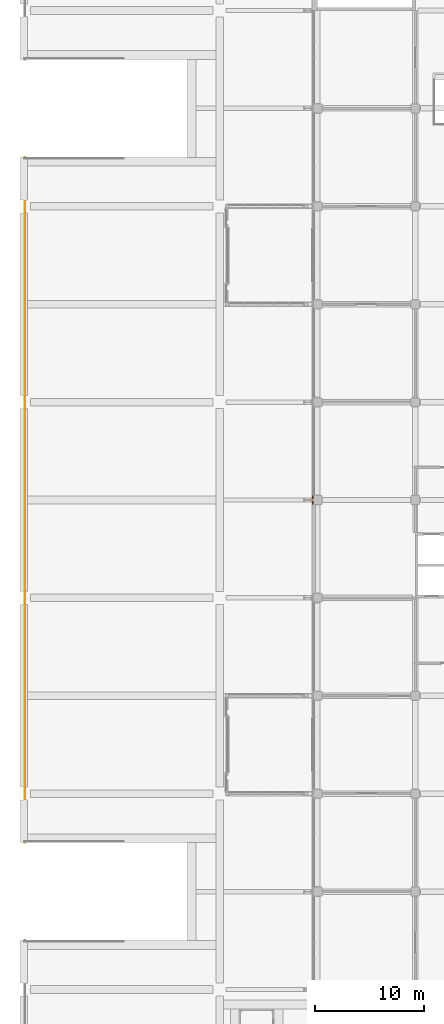
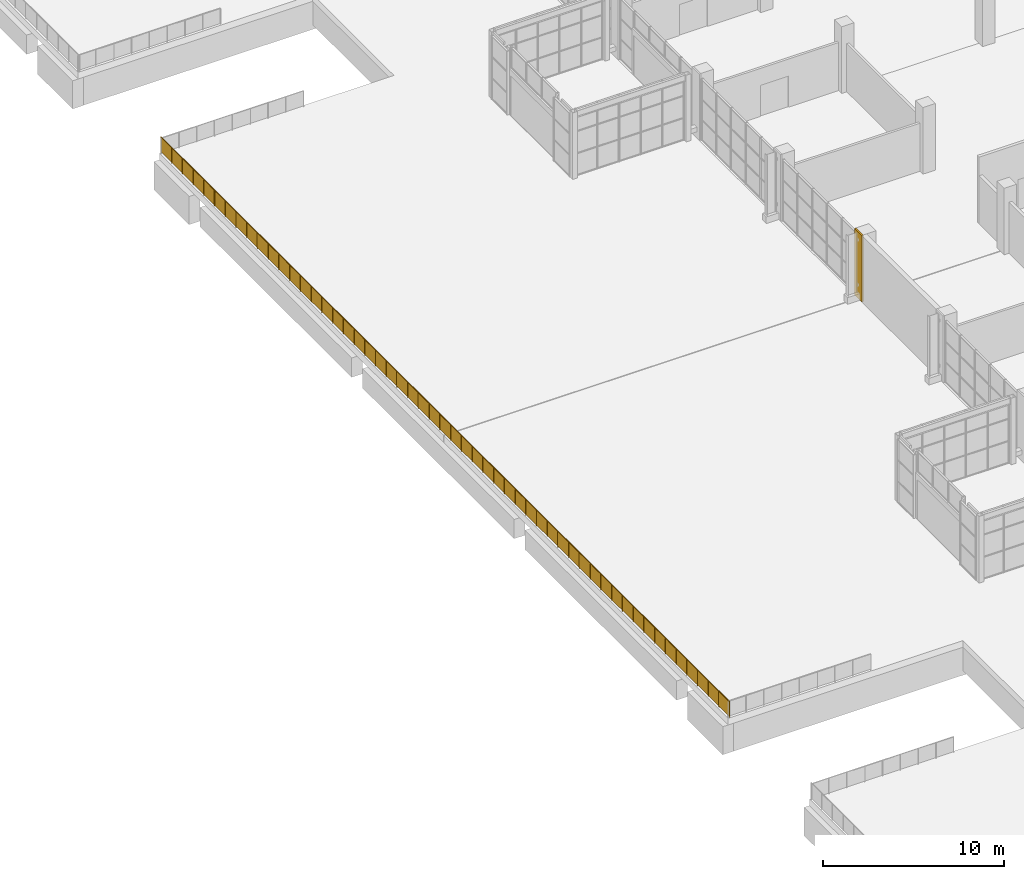
# One storey, part 146 of 168: 1 covering, 1 railing.
"""IFC4 building model written with IfcOpenShell, lengths in metres."""

import ifcopenshell
import ifcopenshell.guid

model = None  # the IFC model being written
_history = None  # IfcOwnerHistory: only IFC2X3 demands one
_inside = {}  # id of a spatial element -> (the spatial element, [elements in it])
_under = {}  # id of a project, library or spatial element -> (it, [spatial elements below it])
_declared = {}  # id of a project -> (the project, [libraries it declares])
_typed = {}  # id of a type object -> (the type object, [elements of that type])
_made_of = {}  # id of a material, layer set ... -> (it, [elements and type objects made of it])


def new_model(schema):
    """Start an empty IFC model of exactly this schema.

    Asked for "IFC4X3", IfcOpenShell would pick the latest addendum, in which some entities
    have other attributes; the version numbers below select the first issue.
    IFC2X3 requires an IfcOwnerHistory on every rooted entity: one is made here for all.
    """
    global model, _history
    if schema == "IFC4X3":
        model = ifcopenshell.file(schema_version=(4, 3, 0, 0))
    else:
        model = ifcopenshell.file(schema=schema)
    _inside.clear()
    _under.clear()
    _declared.clear()
    _typed.clear()
    _made_of.clear()
    _history = None
    if model.schema == "IFC2X3":
        org = make("IfcOrganization", Name="unknown")
        user = make(
            "IfcPersonAndOrganization",
            ThePerson=make("IfcPerson", FamilyName="unknown"),
            TheOrganization=org,
        )
        app = make(
            "IfcApplication",
            ApplicationDeveloper=org,
            Version="unknown",
            ApplicationFullName="unknown",
            ApplicationIdentifier="unknown",
        )
        _history = make(
            "IfcOwnerHistory",
            OwningUser=user,
            OwningApplication=app,
            ChangeAction="ADDED",
            CreationDate=0,
        )
    return model


def make(cls, **values):
    """One entity of the class cls with the attributes given. An attribute that is None is left unset."""
    return model.create_entity(
        cls, **{name: value for name, value in values.items() if value is not None}
    )


def rooted(cls, **values):
    """An entity with a GlobalId (a new one), such as an element, a storey or a relation."""
    return make(cls, GlobalId=ifcopenshell.guid.new(), OwnerHistory=_history, **values)


def si_unit(unit_type, name, prefix=None):
    """IfcSIUnit, for example si_unit("LENGTHUNIT", "METRE", prefix="MILLI")."""
    return make("IfcSIUnit", UnitType=unit_type, Prefix=prefix, Name=name)


def assignment(units):
    """IfcUnitAssignment: the units of a project."""
    return None if units is None else make("IfcUnitAssignment", Units=units)


def point(xyz):
    """IfcCartesianPoint."""
    return None if xyz is None else make("IfcCartesianPoint", Coordinates=xyz)


def direction(xyz):
    """IfcDirection."""
    return None if xyz is None else make("IfcDirection", DirectionRatios=xyz)


def frame(location, z_axis=None, x_axis=None):
    """IfcAxis2Placement3D, a coordinate frame: its origin and axes. An axis left out is left unset."""
    return make(
        "IfcAxis2Placement3D",
        Location=point(location),
        Axis=direction(z_axis),
        RefDirection=direction(x_axis),
    )


def frame_2d(location, x_axis=None):
    """IfcAxis2Placement2D, a coordinate frame in the plane: its origin and x axis."""
    return make(
        "IfcAxis2Placement2D", Location=point(location), RefDirection=direction(x_axis)
    )


def origin():
    """The frame at (0, 0, 0) with its axes left unset."""
    return frame((0.0, 0.0, 0.0))


def origin_2d():
    """The frame at (0, 0) in the plane with its x axis left unset."""
    return frame_2d((0.0, 0.0))


def place(relative_to, where):
    """IfcLocalPlacement: puts the frame where relative to a parent placement (None: the world)."""
    return make(
        "IfcLocalPlacement", PlacementRelTo=relative_to, RelativePlacement=where
    )


def context(
    kind, dimensions, precision=None, world=None, true_north=None, identifier=None
):
    """IfcGeometricRepresentationContext, for example the 3D "Model" context."""
    return make(
        "IfcGeometricRepresentationContext",
        ContextIdentifier=identifier,
        ContextType=kind,
        CoordinateSpaceDimension=dimensions,
        Precision=precision,
        WorldCoordinateSystem=world,
        TrueNorth=true_north,
    )


def subcontext(parent, identifier, kind, view, scale=None):
    """IfcGeometricRepresentationSubContext, for example "Body" below "Model"."""
    return make(
        "IfcGeometricRepresentationSubContext",
        ContextIdentifier=identifier,
        ContextType=kind,
        ParentContext=parent,
        TargetScale=scale,
        TargetView=view,
    )


def project(units=None, contexts=None):
    """IfcProject with its units and contexts."""
    return rooted(
        "IfcProject",
        Name="project",
        RepresentationContexts=contexts,
        UnitsInContext=assignment(units),
    )


def spatial(cls, under=None, at=None, **own):
    """A site, building, storey or space (cls), placed at a placement, below another one or the project."""
    s = rooted(cls, ObjectPlacement=at, **own)
    if under is not None:
        _under.setdefault(under.id(), (under, []))[1].append(s)
    return s


def polyline(points):
    """IfcPolyline through the points."""
    return make("IfcPolyline", Points=[point(p) for p in points])


def profile(cls, at=None, kind="AREA", **sizes):
    """A parametric profile (cls). Its sizes go by their IFC names, for example OverallWidth=200.0."""
    return make(cls, ProfileType=kind, Position=at, **sizes)


def circle(**sizes):
    """IfcCircleProfileDef."""
    return profile("IfcCircleProfileDef", **sizes)


def outline(outer, holes=None, kind="AREA"):
    """IfcArbitraryClosedProfileDef: a profile drawn as a closed curve; with holes, ...WithVoids."""
    if holes is None:
        return make("IfcArbitraryClosedProfileDef", ProfileType=kind, OuterCurve=outer)
    return make(
        "IfcArbitraryProfileDefWithVoids",
        ProfileType=kind,
        OuterCurve=outer,
        InnerCurves=holes,
    )


def extrude(swept, where, along, depth):
    """IfcExtrudedAreaSolid: the profile swept, set in the frame where, extruded along a direction by depth."""
    return make(
        "IfcExtrudedAreaSolid",
        SweptArea=swept,
        Position=where,
        ExtrudedDirection=direction(along),
        Depth=depth,
    )


def shape(context_of_items, identifier, shape_type, items):
    """IfcShapeRepresentation: the items that make up one representation, for example the "Body"."""
    return make(
        "IfcShapeRepresentation",
        ContextOfItems=context_of_items,
        RepresentationIdentifier=identifier,
        RepresentationType=shape_type,
        Items=items,
    )


def material(Name=None, Category=None):
    """IfcMaterial."""
    return make("IfcMaterial", Name=Name, Category=Category)


def layer(
    of_material, thickness, ventilated=None, Name=None, Category=None, Priority=None
):
    """IfcMaterialLayer: one layer of a wall or slab, of a material (None: an air gap)."""
    return make(
        "IfcMaterialLayer",
        Material=of_material,
        LayerThickness=thickness,
        IsVentilated=ventilated,
        Name=Name,
        Category=Category,
        Priority=Priority,
    )


def layer_set(layers, Name=None):
    """IfcMaterialLayerSet."""
    return make("IfcMaterialLayerSet", MaterialLayers=layers, LayerSetName=Name)


def made_of(thing, what):
    """Note that an element or type object is made of a material, layer set ...; save() writes the relation."""
    if what is not None:
        _made_of.setdefault(what.id(), (what, []))[1].append(thing)
    return thing


def type_object(cls, material=None, **own):
    """A type object (cls), such as IfcWallType, which elements share."""
    return made_of(rooted(cls, **own), material)


def element(
    cls,
    number,
    at=None,
    inside=None,
    cuts=None,
    type_object=None,
    material=None,
    context=None,
    identifier="Body",
    shape_type=None,
    held_by="IfcProductDefinitionShape",
    body=None,
    shapes=None,
    **own,
):
    """One element of the class cls, such as IfcWall. Its Tag is "e" and its number.

    at: its placement. inside: the storey or other place that contains it. cuts: it is an
    opening in that element (IfcRelVoidsElement). A single representation is given by context,
    identifier, shape_type and body (its items); several are given by shapes. held_by: the class
    of the entity that holds the representations. save() writes the other relations.
    """
    e = rooted(cls, Tag="e%d" % number, ObjectPlacement=at, **own)
    if body is not None:
        shapes = [shape(context, identifier, shape_type, body)]
    if shapes is not None:
        e.Representation = make(held_by, Representations=shapes)
    if inside is not None:
        _inside.setdefault(inside.id(), (inside, []))[1].append(e)
    if cuts is not None:
        rooted(
            "IfcRelVoidsElement", RelatingBuildingElement=cuts, RelatedOpeningElement=e
        )
    if type_object is not None:
        _typed.setdefault(type_object.id(), (type_object, []))[1].append(e)
    return made_of(e, material)


def aggregate(whole, parts):
    """IfcRelAggregates: a whole, such as a stair, and the parts it consists of."""
    return rooted("IfcRelAggregates", RelatingObject=whole, RelatedObjects=parts)


def save(model, path):
    """Write the relations noted so far, then the file.

    IfcRelAggregates (storeys below a building ...), IfcRelContainedInSpatialStructure (elements
    in a storey), IfcRelDefinesByType, IfcRelAssociatesMaterial and IfcRelDeclares: one each for
    every whole, place, type object, material and project.
    """
    for whole, parts in _under.values():
        aggregate(whole, parts)
    for where, things in _inside.values():
        rooted(
            "IfcRelContainedInSpatialStructure",
            RelatedElements=things,
            RelatingStructure=where,
        )
    for kind, things in _typed.values():
        rooted("IfcRelDefinesByType", RelatedObjects=things, RelatingType=kind)
    for what, things in _made_of.values():
        rooted("IfcRelAssociatesMaterial", RelatedObjects=things, RelatingMaterial=what)
    for by, libraries in _declared.values():
        rooted("IfcRelDeclares", RelatingContext=by, RelatedDefinitions=libraries)
    model.write(path)


model = new_model("IFC4")

# Units and contexts
model_context = context("Model", 3, precision=1e-05, world=origin(), true_north=direction((0.0, 1.0)))
body_context = subcontext(model_context, "Body", "Model", "MODEL_VIEW")
ifc_project = project(units=[si_unit("LENGTHUNIT", "METRE"), si_unit("AREAUNIT", "SQUARE_METRE"), si_unit("VOLUMEUNIT", "CUBIC_METRE"), si_unit("PLANEANGLEUNIT", "RADIAN"), si_unit("MASSUNIT", "GRAM", prefix="KILO")], contexts=[model_context])

# Site, building, storey
site_placement = place(None, origin())
site = spatial("IfcSite", under=ifc_project, at=site_placement, CompositionType="ELEMENT")
building_placement = place(site_placement, origin())
building = spatial("IfcBuilding", under=site, at=building_placement, Name="Silverbay Arena", CompositionType="ELEMENT")
storey_placement = place(building_placement, frame((0.0, 0.0, 7.0)))
storey = spatial("IfcBuildingStorey", under=building, at=storey_placement, Name="L01", CompositionType="ELEMENT", Elevation=7.0)

# Covering
ifc_material_1 = material(Name="Aluminium composite cladding", Category="aluminium")
ifc_layer = layer(ifc_material_1, 0.10009765625)
ifc_layer_set = layer_set([ifc_layer], Name="Aluminium composite cladding")
covering_type = type_object("IfcCoveringType", Name="Column cladding 100", PredefinedType="CLADDING", material=ifc_layer_set)
covering_placement = place(storey_placement, origin())
element("IfcCovering", 1, at=covering_placement, inside=storey, type_object=covering_type, Name="West column cladding L01 33", PredefinedType="CLADDING", context=body_context, shape_type="SweptSolid", body=[
    extrude(outline(polyline([(26.5, 80.60009765625), (26.60009765625, 80.60009765625), (26.60009765625, 81.39990234375), (26.5, 81.39990234375), (26.5, 80.60009765625)])), origin(), (0.0, 0.0, 1.0), 4.5),
])

# Railing
ifc_material_2 = material(Name="Stainless steel", Category="steel")
railing_type = type_object("IfcRailingType", Name="Plaza deck guard 1100", PredefinedType="GUARDRAIL", material=ifc_material_2)
railing_placement = place(storey_placement, frame((0.10009765625, 112.5, 0.0)))
element("IfcRailing", 2, at=railing_placement, inside=storey, type_object=railing_type, Name="Plaza deck guard 3", PredefinedType="GUARDRAIL", context=body_context, shape_type="SweptSolid", body=[
    extrude(circle(Radius=0.02392578125, at=origin_2d()), frame((0.0, 0.0, 1.076171875), z_axis=(0.0, -1.0, 0.0), x_axis=(1.0, 0.0, 0.0)), (0.0, 0.0, 1.0), 63.0),
    extrude(outline(polyline([(-0.008056640625, 0.050048828125), (1.19677734375, 0.050048828125), (1.19677734375, 1.052978515625), (-0.008056640625, 1.052978515625), (-0.008056640625, 0.050048828125)])), frame((0.0029296875, 0.0, 0.0), z_axis=(-1.0, 0.0, 0.0), x_axis=(0.0, -1.0, 0.0)), (0.0, 0.0, 1.0), 0.006103515625),
    extrude(outline(polyline([(-0.008056640625, 0.050048828125), (1.19677734375, 0.050048828125), (1.19677734375, 1.052978515625), (-0.008056640625, 1.052978515625), (-0.008056640625, 0.050048828125)])), frame((0.0029296875, -1.188720703125, 0.0), z_axis=(-1.0, 0.0, 0.0), x_axis=(0.0, -1.0, 0.0)), (0.0, 0.0, 1.0), 0.006103515625),
    extrude(outline(polyline([(-0.008056640625, 0.050048828125), (1.19677734375, 0.050048828125), (1.19677734375, 1.052978515625), (-0.008056640625, 1.052978515625), (-0.008056640625, 0.050048828125)])), frame((0.0029296875, -2.37744140625, 0.0), z_axis=(-1.0, 0.0, 0.0), x_axis=(0.0, -1.0, 0.0)), (0.0, 0.0, 1.0), 0.006103515625),
    extrude(outline(polyline([(-0.008056640625, 0.050048828125), (1.19677734375, 0.050048828125), (1.19677734375, 1.052978515625), (-0.008056640625, 1.052978515625), (-0.008056640625, 0.050048828125)])), frame((0.0029296875, -3.56591796875, 0.0), z_axis=(-1.0, 0.0, 0.0), x_axis=(0.0, -1.0, 0.0)), (0.0, 0.0, 1.0), 0.006103515625),
    extrude(outline(polyline([(-0.008056640625, 0.050048828125), (1.19677734375, 0.050048828125), (1.19677734375, 1.052978515625), (-0.008056640625, 1.052978515625), (-0.008056640625, 0.050048828125)])), frame((0.0029296875, -4.754638671875, 0.0), z_axis=(-1.0, 0.0, 0.0), x_axis=(0.0, -1.0, 0.0)), (0.0, 0.0, 1.0), 0.006103515625),
    extrude(outline(polyline([(-0.008056640625, 0.050048828125), (1.19677734375, 0.050048828125), (1.19677734375, 1.052978515625), (-0.008056640625, 1.052978515625), (-0.008056640625, 0.050048828125)])), frame((0.0029296875, -5.943359375, 0.0), z_axis=(-1.0, 0.0, 0.0), x_axis=(0.0, -1.0, 0.0)), (0.0, 0.0, 1.0), 0.006103515625),
    extrude(outline(polyline([(-0.008056640625, 0.050048828125), (1.19677734375, 0.050048828125), (1.19677734375, 1.052978515625), (-0.008056640625, 1.052978515625), (-0.008056640625, 0.050048828125)])), frame((0.0029296875, -7.132080078125, 0.0), z_axis=(-1.0, 0.0, 0.0), x_axis=(0.0, -1.0, 0.0)), (0.0, 0.0, 1.0), 0.006103515625),
    extrude(outline(polyline([(-0.008056640625, 0.050048828125), (1.19677734375, 0.050048828125), (1.19677734375, 1.052978515625), (-0.008056640625, 1.052978515625), (-0.008056640625, 0.050048828125)])), frame((0.0029296875, -8.32080078125, 0.0), z_axis=(-1.0, 0.0, 0.0), x_axis=(0.0, -1.0, 0.0)), (0.0, 0.0, 1.0), 0.006103515625),
    extrude(outline(polyline([(-0.008056640625, 0.050048828125), (1.19677734375, 0.050048828125), (1.19677734375, 1.052978515625), (-0.008056640625, 1.052978515625), (-0.008056640625, 0.050048828125)])), frame((0.0029296875, -9.509521484375, 0.0), z_axis=(-1.0, 0.0, 0.0), x_axis=(0.0, -1.0, 0.0)), (0.0, 0.0, 1.0), 0.006103515625),
    extrude(outline(polyline([(-0.008056640625, 0.050048828125), (1.19677734375, 0.050048828125), (1.19677734375, 1.052978515625), (-0.008056640625, 1.052978515625), (-0.008056640625, 0.050048828125)])), frame((0.0029296875, -10.697998046875, 0.0), z_axis=(-1.0, 0.0, 0.0), x_axis=(0.0, -1.0, 0.0)), (0.0, 0.0, 1.0), 0.006103515625),
    extrude(outline(polyline([(-0.008056640625, 0.050048828125), (1.19677734375, 0.050048828125), (1.19677734375, 1.052978515625), (-0.008056640625, 1.052978515625), (-0.008056640625, 0.050048828125)])), frame((0.0029296875, -11.88671875, 0.0), z_axis=(-1.0, 0.0, 0.0), x_axis=(0.0, -1.0, 0.0)), (0.0, 0.0, 1.0), 0.006103515625),
    extrude(outline(polyline([(-0.008056640625, 0.050048828125), (1.19677734375, 0.050048828125), (1.19677734375, 1.052978515625), (-0.008056640625, 1.052978515625), (-0.008056640625, 0.050048828125)])), frame((0.0029296875, -13.075439453125, 0.0), z_axis=(-1.0, 0.0, 0.0), x_axis=(0.0, -1.0, 0.0)), (0.0, 0.0, 1.0), 0.006103515625),
    extrude(outline(polyline([(-0.008056640625, 0.050048828125), (1.19677734375, 0.050048828125), (1.19677734375, 1.052978515625), (-0.008056640625, 1.052978515625), (-0.008056640625, 0.050048828125)])), frame((0.0029296875, -14.26416015625, 0.0), z_axis=(-1.0, 0.0, 0.0), x_axis=(0.0, -1.0, 0.0)), (0.0, 0.0, 1.0), 0.006103515625),
    extrude(outline(polyline([(-0.008056640625, 0.050048828125), (1.19677734375, 0.050048828125), (1.19677734375, 1.052978515625), (-0.008056640625, 1.052978515625), (-0.008056640625, 0.050048828125)])), frame((0.0029296875, -15.452880859375, 0.0), z_axis=(-1.0, 0.0, 0.0), x_axis=(0.0, -1.0, 0.0)), (0.0, 0.0, 1.0), 0.006103515625),
    extrude(outline(polyline([(-0.008056640625, 0.050048828125), (1.19677734375, 0.050048828125), (1.19677734375, 1.052978515625), (-0.008056640625, 1.052978515625), (-0.008056640625, 0.050048828125)])), frame((0.0029296875, -16.6416015625, 0.0), z_axis=(-1.0, 0.0, 0.0), x_axis=(0.0, -1.0, 0.0)), (0.0, 0.0, 1.0), 0.006103515625),
    extrude(outline(polyline([(-0.008056640625, 0.050048828125), (1.19677734375, 0.050048828125), (1.19677734375, 1.052978515625), (-0.008056640625, 1.052978515625), (-0.008056640625, 0.050048828125)])), frame((0.0029296875, -17.830078125, 0.0), z_axis=(-1.0, 0.0, 0.0), x_axis=(0.0, -1.0, 0.0)), (0.0, 0.0, 1.0), 0.006103515625),
    extrude(outline(polyline([(-0.008056640625, 0.050048828125), (1.19677734375, 0.050048828125), (1.19677734375, 1.052978515625), (-0.008056640625, 1.052978515625), (-0.008056640625, 0.050048828125)])), frame((0.0029296875, -19.018798828125, 0.0), z_axis=(-1.0, 0.0, 0.0), x_axis=(0.0, -1.0, 0.0)), (0.0, 0.0, 1.0), 0.006103515625),
    extrude(outline(polyline([(-0.008056640625, 0.050048828125), (1.19677734375, 0.050048828125), (1.19677734375, 1.052978515625), (-0.008056640625, 1.052978515625), (-0.008056640625, 0.050048828125)])), frame((0.0029296875, -20.20751953125, 0.0), z_axis=(-1.0, 0.0, 0.0), x_axis=(0.0, -1.0, 0.0)), (0.0, 0.0, 1.0), 0.006103515625),
    extrude(outline(polyline([(-0.008056640625, 0.050048828125), (1.19677734375, 0.050048828125), (1.19677734375, 1.052978515625), (-0.008056640625, 1.052978515625), (-0.008056640625, 0.050048828125)])), frame((0.0029296875, -21.396240234375, 0.0), z_axis=(-1.0, 0.0, 0.0), x_axis=(0.0, -1.0, 0.0)), (0.0, 0.0, 1.0), 0.006103515625),
    extrude(outline(polyline([(-0.008056640625, 0.050048828125), (1.19677734375, 0.050048828125), (1.19677734375, 1.052978515625), (-0.008056640625, 1.052978515625), (-0.008056640625, 0.050048828125)])), frame((0.0029296875, -22.5849609375, 0.0), z_axis=(-1.0, 0.0, 0.0), x_axis=(0.0, -1.0, 0.0)), (0.0, 0.0, 1.0), 0.006103515625),
    extrude(outline(polyline([(-0.008056640625, 0.050048828125), (1.19677734375, 0.050048828125), (1.19677734375, 1.052978515625), (-0.008056640625, 1.052978515625), (-0.008056640625, 0.050048828125)])), frame((0.0029296875, -23.773681640625, 0.0), z_axis=(-1.0, 0.0, 0.0), x_axis=(0.0, -1.0, 0.0)), (0.0, 0.0, 1.0), 0.006103515625),
    extrude(outline(polyline([(-0.008056640625, 0.050048828125), (1.19677734375, 0.050048828125), (1.19677734375, 1.052978515625), (-0.008056640625, 1.052978515625), (-0.008056640625, 0.050048828125)])), frame((0.0029296875, -24.962158203125, 0.0), z_axis=(-1.0, 0.0, 0.0), x_axis=(0.0, -1.0, 0.0)), (0.0, 0.0, 1.0), 0.006103515625),
    extrude(outline(polyline([(-0.008056640625, 0.050048828125), (1.19677734375, 0.050048828125), (1.19677734375, 1.052978515625), (-0.008056640625, 1.052978515625), (-0.008056640625, 0.050048828125)])), frame((0.0029296875, -26.15087890625, 0.0), z_axis=(-1.0, 0.0, 0.0), x_axis=(0.0, -1.0, 0.0)), (0.0, 0.0, 1.0), 0.006103515625),
    extrude(outline(polyline([(-0.008056640625, 0.050048828125), (1.19677734375, 0.050048828125), (1.19677734375, 1.052978515625), (-0.008056640625, 1.052978515625), (-0.008056640625, 0.050048828125)])), frame((0.0029296875, -27.339599609375, 0.0), z_axis=(-1.0, 0.0, 0.0), x_axis=(0.0, -1.0, 0.0)), (0.0, 0.0, 1.0), 0.006103515625),
    extrude(outline(polyline([(-0.008056640625, 0.050048828125), (1.19677734375, 0.050048828125), (1.19677734375, 1.052978515625), (-0.008056640625, 1.052978515625), (-0.008056640625, 0.050048828125)])), frame((0.0029296875, -28.5283203125, 0.0), z_axis=(-1.0, 0.0, 0.0), x_axis=(0.0, -1.0, 0.0)), (0.0, 0.0, 1.0), 0.006103515625),
    extrude(outline(polyline([(-0.008056640625, 0.050048828125), (1.19677734375, 0.050048828125), (1.19677734375, 1.052978515625), (-0.008056640625, 1.052978515625), (-0.008056640625, 0.050048828125)])), frame((0.0029296875, -29.717041015625, 0.0), z_axis=(-1.0, 0.0, 0.0), x_axis=(0.0, -1.0, 0.0)), (0.0, 0.0, 1.0), 0.006103515625),
    extrude(outline(polyline([(-0.008056640625, 0.050048828125), (1.19677734375, 0.050048828125), (1.19677734375, 1.052978515625), (-0.008056640625, 1.052978515625), (-0.008056640625, 0.050048828125)])), frame((0.0029296875, -30.90576171875, 0.0), z_axis=(-1.0, 0.0, 0.0), x_axis=(0.0, -1.0, 0.0)), (0.0, 0.0, 1.0), 0.006103515625),
    extrude(outline(polyline([(-0.008056640625, 0.050048828125), (1.19677734375, 0.050048828125), (1.19677734375, 1.052978515625), (-0.008056640625, 1.052978515625), (-0.008056640625, 0.050048828125)])), frame((0.0029296875, -32.09423828125, 0.0), z_axis=(-1.0, 0.0, 0.0), x_axis=(0.0, -1.0, 0.0)), (0.0, 0.0, 1.0), 0.006103515625),
    extrude(outline(polyline([(-0.008056640625, 0.050048828125), (1.19677734375, 0.050048828125), (1.19677734375, 1.052978515625), (-0.008056640625, 1.052978515625), (-0.008056640625, 0.050048828125)])), frame((0.0029296875, -33.282958984375, 0.0), z_axis=(-1.0, 0.0, 0.0), x_axis=(0.0, -1.0, 0.0)), (0.0, 0.0, 1.0), 0.006103515625),
    extrude(outline(polyline([(-0.008056640625, 0.050048828125), (1.19677734375, 0.050048828125), (1.19677734375, 1.052978515625), (-0.008056640625, 1.052978515625), (-0.008056640625, 0.050048828125)])), frame((0.0029296875, -34.4716796875, 0.0), z_axis=(-1.0, 0.0, 0.0), x_axis=(0.0, -1.0, 0.0)), (0.0, 0.0, 1.0), 0.006103515625),
    extrude(outline(polyline([(-0.008056640625, 0.050048828125), (1.19677734375, 0.050048828125), (1.19677734375, 1.052978515625), (-0.008056640625, 1.052978515625), (-0.008056640625, 0.050048828125)])), frame((0.0029296875, -35.660400390625, 0.0), z_axis=(-1.0, 0.0, 0.0), x_axis=(0.0, -1.0, 0.0)), (0.0, 0.0, 1.0), 0.006103515625),
    extrude(outline(polyline([(-0.008056640625, 0.050048828125), (1.19677734375, 0.050048828125), (1.19677734375, 1.052978515625), (-0.008056640625, 1.052978515625), (-0.008056640625, 0.050048828125)])), frame((0.0029296875, -36.84912109375, 0.0), z_axis=(-1.0, 0.0, 0.0), x_axis=(0.0, -1.0, 0.0)), (0.0, 0.0, 1.0), 0.006103515625),
    extrude(outline(polyline([(-0.008056640625, 0.050048828125), (1.19677734375, 0.050048828125), (1.19677734375, 1.052978515625), (-0.008056640625, 1.052978515625), (-0.008056640625, 0.050048828125)])), frame((0.0029296875, -38.037841796875, 0.0), z_axis=(-1.0, 0.0, 0.0), x_axis=(0.0, -1.0, 0.0)), (0.0, 0.0, 1.0), 0.006103515625),
    extrude(outline(polyline([(-0.008056640625, 0.050048828125), (1.19677734375, 0.050048828125), (1.19677734375, 1.052978515625), (-0.008056640625, 1.052978515625), (-0.008056640625, 0.050048828125)])), frame((0.0029296875, -39.226318359375, 0.0), z_axis=(-1.0, 0.0, 0.0), x_axis=(0.0, -1.0, 0.0)), (0.0, 0.0, 1.0), 0.006103515625),
    extrude(outline(polyline([(-0.008056640625, 0.050048828125), (1.19677734375, 0.050048828125), (1.19677734375, 1.052978515625), (-0.008056640625, 1.052978515625), (-0.008056640625, 0.050048828125)])), frame((0.0029296875, -40.4150390625, 0.0), z_axis=(-1.0, 0.0, 0.0), x_axis=(0.0, -1.0, 0.0)), (0.0, 0.0, 1.0), 0.006103515625),
    extrude(outline(polyline([(-0.008056640625, 0.050048828125), (1.19677734375, 0.050048828125), (1.19677734375, 1.052978515625), (-0.008056640625, 1.052978515625), (-0.008056640625, 0.050048828125)])), frame((0.0029296875, -41.603759765625, 0.0), z_axis=(-1.0, 0.0, 0.0), x_axis=(0.0, -1.0, 0.0)), (0.0, 0.0, 1.0), 0.006103515625),
    extrude(outline(polyline([(-0.008056640625, 0.050048828125), (1.19677734375, 0.050048828125), (1.19677734375, 1.052978515625), (-0.008056640625, 1.052978515625), (-0.008056640625, 0.050048828125)])), frame((0.0029296875, -42.79248046875, 0.0), z_axis=(-1.0, 0.0, 0.0), x_axis=(0.0, -1.0, 0.0)), (0.0, 0.0, 1.0), 0.006103515625),
    extrude(outline(polyline([(-0.008056640625, 0.050048828125), (1.19677734375, 0.050048828125), (1.19677734375, 1.052978515625), (-0.008056640625, 1.052978515625), (-0.008056640625, 0.050048828125)])), frame((0.0029296875, -43.981201171875, 0.0), z_axis=(-1.0, 0.0, 0.0), x_axis=(0.0, -1.0, 0.0)), (0.0, 0.0, 1.0), 0.006103515625),
    extrude(outline(polyline([(-0.008056640625, 0.050048828125), (1.19677734375, 0.050048828125), (1.19677734375, 1.052978515625), (-0.008056640625, 1.052978515625), (-0.008056640625, 0.050048828125)])), frame((0.0029296875, -45.169921875, 0.0), z_axis=(-1.0, 0.0, 0.0), x_axis=(0.0, -1.0, 0.0)), (0.0, 0.0, 1.0), 0.006103515625),
    extrude(outline(polyline([(-0.008056640625, 0.050048828125), (1.19677734375, 0.050048828125), (1.19677734375, 1.052978515625), (-0.008056640625, 1.052978515625), (-0.008056640625, 0.050048828125)])), frame((0.0029296875, -46.3583984375, 0.0), z_axis=(-1.0, 0.0, 0.0), x_axis=(0.0, -1.0, 0.0)), (0.0, 0.0, 1.0), 0.006103515625),
    extrude(outline(polyline([(-0.008056640625, 0.050048828125), (1.19677734375, 0.050048828125), (1.19677734375, 1.052978515625), (-0.008056640625, 1.052978515625), (-0.008056640625, 0.050048828125)])), frame((0.0029296875, -47.547119140625, 0.0), z_axis=(-1.0, 0.0, 0.0), x_axis=(0.0, -1.0, 0.0)), (0.0, 0.0, 1.0), 0.006103515625),
    extrude(outline(polyline([(-0.008056640625, 0.050048828125), (1.19677734375, 0.050048828125), (1.19677734375, 1.052978515625), (-0.008056640625, 1.052978515625), (-0.008056640625, 0.050048828125)])), frame((0.0029296875, -48.73583984375, 0.0), z_axis=(-1.0, 0.0, 0.0), x_axis=(0.0, -1.0, 0.0)), (0.0, 0.0, 1.0), 0.006103515625),
    extrude(outline(polyline([(-0.008056640625, 0.050048828125), (1.19677734375, 0.050048828125), (1.19677734375, 1.052978515625), (-0.008056640625, 1.052978515625), (-0.008056640625, 0.050048828125)])), frame((0.0029296875, -49.924560546875, 0.0), z_axis=(-1.0, 0.0, 0.0), x_axis=(0.0, -1.0, 0.0)), (0.0, 0.0, 1.0), 0.006103515625),
    extrude(outline(polyline([(-0.008056640625, 0.050048828125), (1.19677734375, 0.050048828125), (1.19677734375, 1.052978515625), (-0.008056640625, 1.052978515625), (-0.008056640625, 0.050048828125)])), frame((0.0029296875, -51.11328125, 0.0), z_axis=(-1.0, 0.0, 0.0), x_axis=(0.0, -1.0, 0.0)), (0.0, 0.0, 1.0), 0.006103515625),
    extrude(outline(polyline([(-0.008056640625, 0.050048828125), (1.19677734375, 0.050048828125), (1.19677734375, 1.052978515625), (-0.008056640625, 1.052978515625), (-0.008056640625, 0.050048828125)])), frame((0.0029296875, -52.302001953125, 0.0), z_axis=(-1.0, 0.0, 0.0), x_axis=(0.0, -1.0, 0.0)), (0.0, 0.0, 1.0), 0.006103515625),
    extrude(outline(polyline([(-0.008056640625, 0.050048828125), (1.19677734375, 0.050048828125), (1.19677734375, 1.052978515625), (-0.008056640625, 1.052978515625), (-0.008056640625, 0.050048828125)])), frame((0.0029296875, -53.490478515625, 0.0), z_axis=(-1.0, 0.0, 0.0), x_axis=(0.0, -1.0, 0.0)), (0.0, 0.0, 1.0), 0.006103515625),
    extrude(outline(polyline([(-0.008056640625, 0.050048828125), (1.19677734375, 0.050048828125), (1.19677734375, 1.052978515625), (-0.008056640625, 1.052978515625), (-0.008056640625, 0.050048828125)])), frame((0.0029296875, -54.67919921875, 0.0), z_axis=(-1.0, 0.0, 0.0), x_axis=(0.0, -1.0, 0.0)), (0.0, 0.0, 1.0), 0.006103515625),
    extrude(outline(polyline([(-0.008056640625, 0.050048828125), (1.19677734375, 0.050048828125), (1.19677734375, 1.052978515625), (-0.008056640625, 1.052978515625), (-0.008056640625, 0.050048828125)])), frame((0.0029296875, -55.867919921875, 0.0), z_axis=(-1.0, 0.0, 0.0), x_axis=(0.0, -1.0, 0.0)), (0.0, 0.0, 1.0), 0.006103515625),
    extrude(outline(polyline([(-0.008056640625, 0.050048828125), (1.19677734375, 0.050048828125), (1.19677734375, 1.052978515625), (-0.008056640625, 1.052978515625), (-0.008056640625, 0.050048828125)])), frame((0.0029296875, -57.056640625, 0.0), z_axis=(-1.0, 0.0, 0.0), x_axis=(0.0, -1.0, 0.0)), (0.0, 0.0, 1.0), 0.006103515625),
    extrude(outline(polyline([(-0.008056640625, 0.050048828125), (1.19677734375, 0.050048828125), (1.19677734375, 1.052978515625), (-0.008056640625, 1.052978515625), (-0.008056640625, 0.050048828125)])), frame((0.0029296875, -58.245361328125, 0.0), z_axis=(-1.0, 0.0, 0.0), x_axis=(0.0, -1.0, 0.0)), (0.0, 0.0, 1.0), 0.006103515625),
    extrude(outline(polyline([(-0.008056640625, 0.050048828125), (1.19677734375, 0.050048828125), (1.19677734375, 1.052978515625), (-0.008056640625, 1.052978515625), (-0.008056640625, 0.050048828125)])), frame((0.0029296875, -59.43408203125, 0.0), z_axis=(-1.0, 0.0, 0.0), x_axis=(0.0, -1.0, 0.0)), (0.0, 0.0, 1.0), 0.006103515625),
    extrude(outline(polyline([(-0.008056640625, 0.050048828125), (1.19677734375, 0.050048828125), (1.19677734375, 1.052978515625), (-0.008056640625, 1.052978515625), (-0.008056640625, 0.050048828125)])), frame((0.0029296875, -60.62255859375, 0.0), z_axis=(-1.0, 0.0, 0.0), x_axis=(0.0, -1.0, 0.0)), (0.0, 0.0, 1.0), 0.006103515625),
    extrude(outline(polyline([(-0.008056640625, 0.050048828125), (1.19677734375, 0.050048828125), (1.19677734375, 1.052978515625), (-0.008056640625, 1.052978515625), (-0.008056640625, 0.050048828125)])), frame((0.0029296875, -61.811279296875, 0.0), z_axis=(-1.0, 0.0, 0.0), x_axis=(0.0, -1.0, 0.0)), (0.0, 0.0, 1.0), 0.006103515625),
    extrude(circle(Radius=0.02099609375, at=origin_2d()), origin(), (0.0, 0.0, 1.0), 1.052001953125),
    extrude(circle(Radius=0.02099609375, at=origin_2d()), frame((0.0, -1.188720703125, 0.0)), (0.0, 0.0, 1.0), 1.052001953125),
    extrude(circle(Radius=0.02099609375, at=origin_2d()), frame((0.0, -2.37744140625, 0.0)), (0.0, 0.0, 1.0), 1.052001953125),
    extrude(circle(Radius=0.02099609375, at=origin_2d()), frame((0.0, -3.56591796875, 0.0)), (0.0, 0.0, 1.0), 1.052001953125),
    extrude(circle(Radius=0.02099609375, at=origin_2d()), frame((0.0, -4.754638671875, 0.0)), (0.0, 0.0, 1.0), 1.052001953125),
    extrude(circle(Radius=0.02099609375, at=origin_2d()), frame((0.0, -5.943359375, 0.0)), (0.0, 0.0, 1.0), 1.052001953125),
    extrude(circle(Radius=0.02099609375, at=origin_2d()), frame((0.0, -7.132080078125, 0.0)), (0.0, 0.0, 1.0), 1.052001953125),
    extrude(circle(Radius=0.02099609375, at=origin_2d()), frame((0.0, -8.32080078125, 0.0)), (0.0, 0.0, 1.0), 1.052001953125),
    extrude(circle(Radius=0.02099609375, at=origin_2d()), frame((0.0, -9.509521484375, 0.0)), (0.0, 0.0, 1.0), 1.052001953125),
    extrude(circle(Radius=0.02099609375, at=origin_2d()), frame((0.0, -10.697998046875, 0.0)), (0.0, 0.0, 1.0), 1.052001953125),
    extrude(circle(Radius=0.02099609375, at=origin_2d()), frame((0.0, -11.88671875, 0.0)), (0.0, 0.0, 1.0), 1.052001953125),
    extrude(circle(Radius=0.02099609375, at=origin_2d()), frame((0.0, -13.075439453125, 0.0)), (0.0, 0.0, 1.0), 1.052001953125),
    extrude(circle(Radius=0.02099609375, at=origin_2d()), frame((0.0, -14.26416015625, 0.0)), (0.0, 0.0, 1.0), 1.052001953125),
    extrude(circle(Radius=0.02099609375, at=origin_2d()), frame((0.0, -15.452880859375, 0.0)), (0.0, 0.0, 1.0), 1.052001953125),
    extrude(circle(Radius=0.02099609375, at=origin_2d()), frame((0.0, -16.6416015625, 0.0)), (0.0, 0.0, 1.0), 1.052001953125),
    extrude(circle(Radius=0.02099609375, at=origin_2d()), frame((0.0, -17.830078125, 0.0)), (0.0, 0.0, 1.0), 1.052001953125),
    extrude(circle(Radius=0.02099609375, at=origin_2d()), frame((0.0, -19.018798828125, 0.0)), (0.0, 0.0, 1.0), 1.052001953125),
    extrude(circle(Radius=0.02099609375, at=origin_2d()), frame((0.0, -20.20751953125, 0.0)), (0.0, 0.0, 1.0), 1.052001953125),
    extrude(circle(Radius=0.02099609375, at=origin_2d()), frame((0.0, -21.396240234375, 0.0)), (0.0, 0.0, 1.0), 1.052001953125),
    extrude(circle(Radius=0.02099609375, at=origin_2d()), frame((0.0, -22.5849609375, 0.0)), (0.0, 0.0, 1.0), 1.052001953125),
    extrude(circle(Radius=0.02099609375, at=origin_2d()), frame((0.0, -23.773681640625, 0.0)), (0.0, 0.0, 1.0), 1.052001953125),
    extrude(circle(Radius=0.02099609375, at=origin_2d()), frame((0.0, -24.962158203125, 0.0)), (0.0, 0.0, 1.0), 1.052001953125),
    extrude(circle(Radius=0.02099609375, at=origin_2d()), frame((0.0, -26.15087890625, 0.0)), (0.0, 0.0, 1.0), 1.052001953125),
    extrude(circle(Radius=0.02099609375, at=origin_2d()), frame((0.0, -27.339599609375, 0.0)), (0.0, 0.0, 1.0), 1.052001953125),
    extrude(circle(Radius=0.02099609375, at=origin_2d()), frame((0.0, -28.5283203125, 0.0)), (0.0, 0.0, 1.0), 1.052001953125),
    extrude(circle(Radius=0.02099609375, at=origin_2d()), frame((0.0, -29.717041015625, 0.0)), (0.0, 0.0, 1.0), 1.052001953125),
    extrude(circle(Radius=0.02099609375, at=origin_2d()), frame((0.0, -30.90576171875, 0.0)), (0.0, 0.0, 1.0), 1.052001953125),
    extrude(circle(Radius=0.02099609375, at=origin_2d()), frame((0.0, -32.09423828125, 0.0)), (0.0, 0.0, 1.0), 1.052001953125),
    extrude(circle(Radius=0.02099609375, at=origin_2d()), frame((0.0, -33.282958984375, 0.0)), (0.0, 0.0, 1.0), 1.052001953125),
    extrude(circle(Radius=0.02099609375, at=origin_2d()), frame((0.0, -34.4716796875, 0.0)), (0.0, 0.0, 1.0), 1.052001953125),
    extrude(circle(Radius=0.02099609375, at=origin_2d()), frame((0.0, -35.660400390625, 0.0)), (0.0, 0.0, 1.0), 1.052001953125),
    extrude(circle(Radius=0.02099609375, at=origin_2d()), frame((0.0, -36.84912109375, 0.0)), (0.0, 0.0, 1.0), 1.052001953125),
    extrude(circle(Radius=0.02099609375, at=origin_2d()), frame((0.0, -38.037841796875, 0.0)), (0.0, 0.0, 1.0), 1.052001953125),
    extrude(circle(Radius=0.02099609375, at=origin_2d()), frame((0.0, -39.226318359375, 0.0)), (0.0, 0.0, 1.0), 1.052001953125),
    extrude(circle(Radius=0.02099609375, at=origin_2d()), frame((0.0, -40.4150390625, 0.0)), (0.0, 0.0, 1.0), 1.052001953125),
    extrude(circle(Radius=0.02099609375, at=origin_2d()), frame((0.0, -41.603759765625, 0.0)), (0.0, 0.0, 1.0), 1.052001953125),
    extrude(circle(Radius=0.02099609375, at=origin_2d()), frame((0.0, -42.79248046875, 0.0)), (0.0, 0.0, 1.0), 1.052001953125),
    extrude(circle(Radius=0.02099609375, at=origin_2d()), frame((0.0, -43.981201171875, 0.0)), (0.0, 0.0, 1.0), 1.052001953125),
    extrude(circle(Radius=0.02099609375, at=origin_2d()), frame((0.0, -45.169921875, 0.0)), (0.0, 0.0, 1.0), 1.052001953125),
    extrude(circle(Radius=0.02099609375, at=origin_2d()), frame((0.0, -46.3583984375, 0.0)), (0.0, 0.0, 1.0), 1.052001953125),
    extrude(circle(Radius=0.02099609375, at=origin_2d()), frame((0.0, -47.547119140625, 0.0)), (0.0, 0.0, 1.0), 1.052001953125),
    extrude(circle(Radius=0.02099609375, at=origin_2d()), frame((0.0, -48.73583984375, 0.0)), (0.0, 0.0, 1.0), 1.052001953125),
    extrude(circle(Radius=0.02099609375, at=origin_2d()), frame((0.0, -49.924560546875, 0.0)), (0.0, 0.0, 1.0), 1.052001953125),
    extrude(circle(Radius=0.02099609375, at=origin_2d()), frame((0.0, -51.11328125, 0.0)), (0.0, 0.0, 1.0), 1.052001953125),
    extrude(circle(Radius=0.02099609375, at=origin_2d()), frame((0.0, -52.302001953125, 0.0)), (0.0, 0.0, 1.0), 1.052001953125),
    extrude(circle(Radius=0.02099609375, at=origin_2d()), frame((0.0, -53.490478515625, 0.0)), (0.0, 0.0, 1.0), 1.052001953125),
    extrude(circle(Radius=0.02099609375, at=origin_2d()), frame((0.0, -54.67919921875, 0.0)), (0.0, 0.0, 1.0), 1.052001953125),
    extrude(circle(Radius=0.02099609375, at=origin_2d()), frame((0.0, -55.867919921875, 0.0)), (0.0, 0.0, 1.0), 1.052001953125),
    extrude(circle(Radius=0.02099609375, at=origin_2d()), frame((0.0, -57.056640625, 0.0)), (0.0, 0.0, 1.0), 1.052001953125),
    extrude(circle(Radius=0.02099609375, at=origin_2d()), frame((0.0, -58.245361328125, 0.0)), (0.0, 0.0, 1.0), 1.052001953125),
    extrude(circle(Radius=0.02099609375, at=origin_2d()), frame((0.0, -59.43408203125, 0.0)), (0.0, 0.0, 1.0), 1.052001953125),
    extrude(circle(Radius=0.02099609375, at=origin_2d()), frame((0.0, -60.62255859375, 0.0)), (0.0, 0.0, 1.0), 1.052001953125),
    extrude(circle(Radius=0.02099609375, at=origin_2d()), frame((0.0, -61.811279296875, 0.0)), (0.0, 0.0, 1.0), 1.052001953125),
    extrude(circle(Radius=0.02099609375, at=origin_2d()), frame((0.0, -63.0, 0.0)), (0.0, 0.0, 1.0), 1.052001953125),
])

save(model, "model.ifc")
